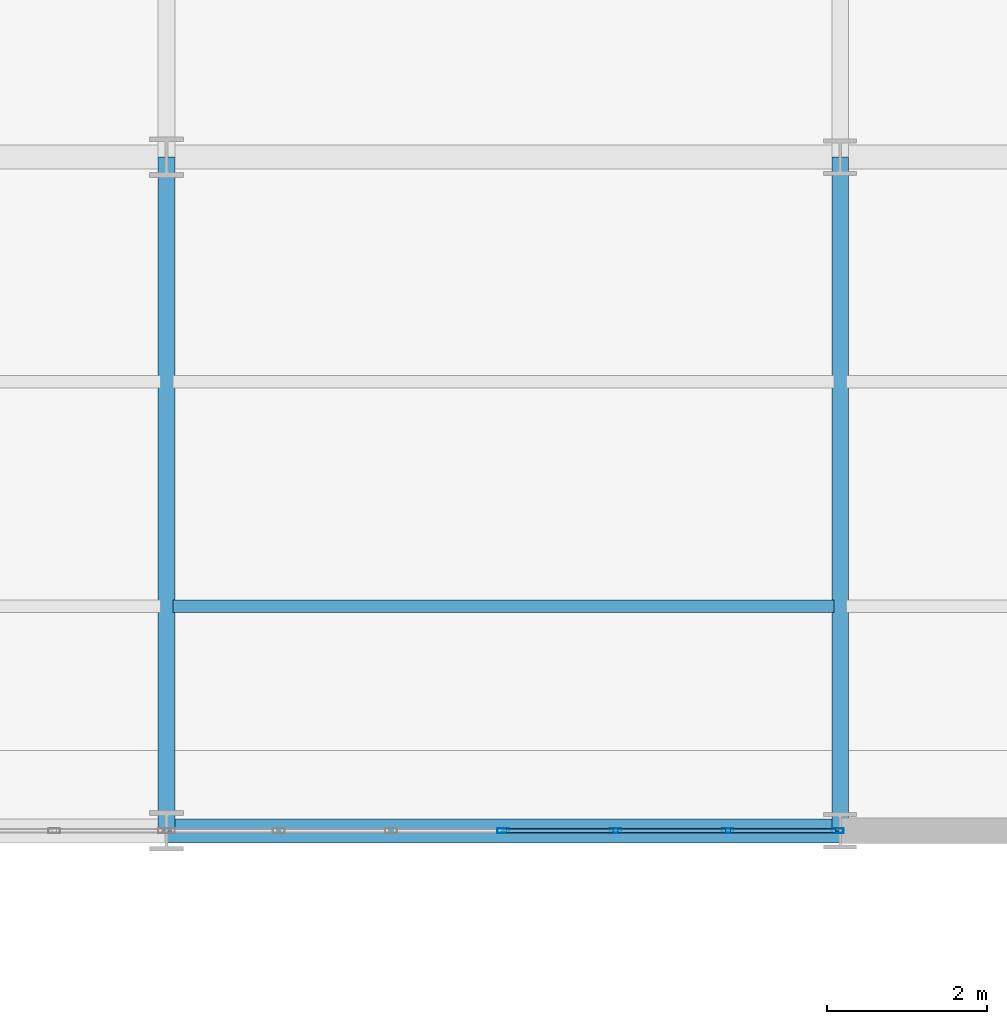
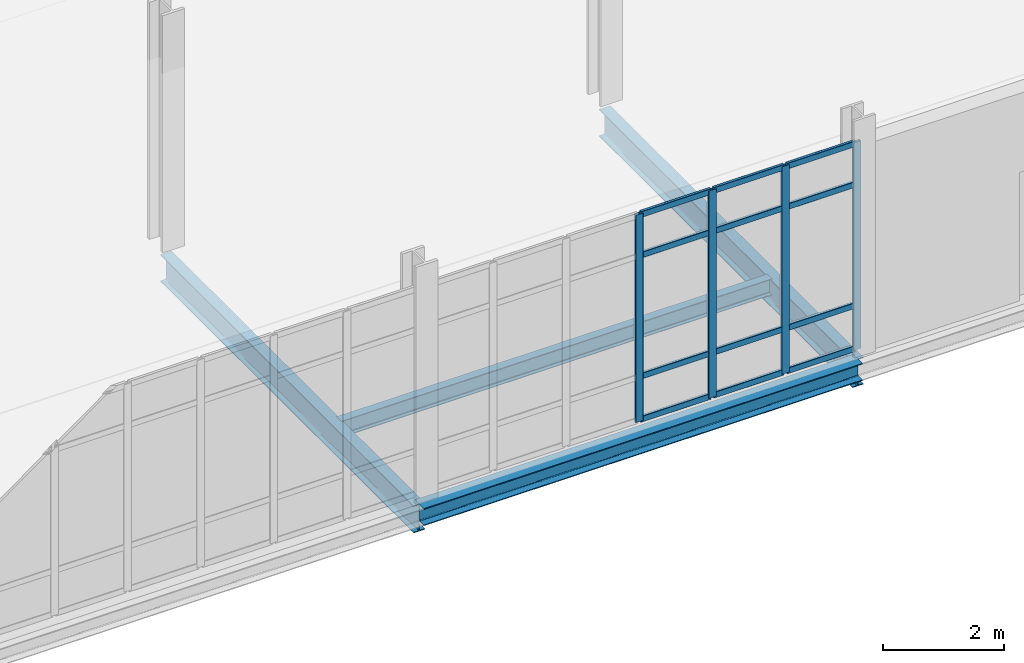
# One storey, part 76 of 145: 16 members, 4 beams, 1 element without a shape of its own.
"""IFC4 building model written with IfcOpenShell, lengths in metres."""

from ifc_helpers import new_model, si_unit, direction, frame, origin, origin_2d, place, context, subcontext, project, spatial, hollow_rectangle, i_section, extrude, material, layer, layer_set, material_profile, profile_set, type_object, element, aggregate, save


model = new_model("IFC4")

# Units and contexts
model_context = context("Model", 3, precision=1e-05, world=origin(), true_north=direction((0.0, 1.0)))
body_context = subcontext(model_context, "Body", "Model", "MODEL_VIEW")
ifc_project = project(units=[si_unit("LENGTHUNIT", "METRE"), si_unit("AREAUNIT", "SQUARE_METRE"), si_unit("VOLUMEUNIT", "CUBIC_METRE"), si_unit("PLANEANGLEUNIT", "RADIAN"), si_unit("MASSUNIT", "GRAM", prefix="KILO")], contexts=[model_context])

# Site, building, storey
site_placement = place(None, origin())
site = spatial("IfcSite", under=ifc_project, at=site_placement, CompositionType="ELEMENT")
building_placement = place(site_placement, origin())
building = spatial("IfcBuilding", under=site, at=building_placement, Name="Qalvenar Corner Mobility Hub", CompositionType="ELEMENT")
storey_placement = place(building_placement, origin())
storey = spatial("IfcBuildingStorey", under=building, at=storey_placement, Name="L00", CompositionType="ELEMENT", Elevation=0.0)

# Beams
ifc_material_1 = material(Name="Steel S355", Category="steel")
ifc_material_profile_1 = material_profile(ifc_material_1, i_section(OverallWidth=0.2099609375, OverallDepth=0.550048828125, WebThickness=0.010986328125, FlangeThickness=0.01708984375, FilletRadius=0.02392578125, at=origin_2d()), Name="IPE550")
ifc_profile_set_1 = profile_set([ifc_material_profile_1], Name="Steel S355")
beam_type_1 = type_object("IfcBeamType", Name="BM-IPE550", PredefinedType="BEAM", material=ifc_profile_set_1)
for number, where, z_axis, x_axis, name in (
    (1, (84.0, 67.199951171875, -0.4951171875), (0.0, 1.0, 0.0), (-1.0, 0.0, 0.0), "Primary Steel Girder GY-0605"),
    (2, (92.39990234375, 67.199951171875, -0.4951171875), (0.0, 1.0, 0.0), (-1.0, 0.0, 0.0), "Primary Steel Girder GY-0611"),
):
    element("IfcBeam", number, at=place(storey_placement, frame(where, z_axis=z_axis, x_axis=x_axis)), inside=storey, type_object=beam_type_1, Name=name, PredefinedType="BEAM", context=body_context, shape_type="SweptSolid", body=[
        extrude(i_section(OverallWidth=0.2099609375, OverallDepth=0.550048828125, WebThickness=0.010986328125, FlangeThickness=0.01708984375, FilletRadius=0.02392578125, at=origin_2d()), origin(), (0.0, 0.0, 1.0), 8.400146484375),
    ])
ifc_material_profile_2 = material_profile(ifc_material_1, i_section(OverallWidth=0.159912109375, OverallDepth=0.330078125, WebThickness=0.007568359375, FlangeThickness=0.011474609375, FilletRadius=0.01806640625, at=origin_2d()), Name="IPE330")
ifc_profile_set_2 = profile_set([ifc_material_profile_2], Name="Steel S355")
beam_type_2 = type_object("IfcBeamType", Name="BM-JST330", PredefinedType="JOIST", material=ifc_profile_set_2)
beam_1_placement = place(storey_placement, frame((84.077880859375, 70.0, -0.385009765625), z_axis=(1.0, 0.0, 0.0), x_axis=(0.0, 1.0, 0.0)))
element("IfcBeam", 3, at=beam_1_placement, inside=storey, type_object=beam_type_2, Name="Composite Floor Joist J-0681", PredefinedType="JOIST", context=body_context, shape_type="SweptSolid", body=[
    extrude(i_section(OverallWidth=0.159912109375, OverallDepth=0.330078125, WebThickness=0.007568359375, FlangeThickness=0.011474609375, FilletRadius=0.01806640625, at=origin_2d()), origin(), (0.0, 0.0, 1.0), 8.244140625),
])
ifc_material_profile_3 = material_profile(ifc_material_1, i_section(OverallWidth=0.300048828125, OverallDepth=0.35009765625, WebThickness=0.010009765625, FlangeThickness=0.017578125, FilletRadius=0.027099609375, at=origin_2d()), Name="HEA360")
ifc_profile_set_3 = profile_set([ifc_material_profile_3], Name="Steel S355")
beam_type_3 = type_object("IfcBeamType", Name="BM-SPN360", PredefinedType="SPANDREL", material=ifc_profile_set_3)
beam_2_placement = place(storey_placement, frame((84.0, 67.199951171875, -0.39501953125), z_axis=(1.0, 0.0, 0.0), x_axis=(0.0, 1.0, 0.0)))
element("IfcBeam", 4, at=beam_2_placement, inside=storey, type_object=beam_type_3, Name="Primary Steel Girder GX-0525", PredefinedType="SPANDREL", context=body_context, shape_type="SweptSolid", body=[
    extrude(i_section(OverallWidth=0.300048828125, OverallDepth=0.35009765625, WebThickness=0.010009765625, FlangeThickness=0.017578125, FilletRadius=0.027099609375, at=origin_2d()), origin(), (0.0, 0.0, 1.0), 8.39990234375),
])

# Curtain wall, members
ifc_material_2 = material(Name="Anodised Aluminium and Low-E Glazing", Category="aluminium")
ifc_layer = layer(ifc_material_2, 0.14990234375)
ifc_layer_set = layer_set([ifc_layer], Name="Anodised Aluminium and Low-E Glazing")
curtain_wall_type = type_object("IfcCurtainWallType", Name="CW-MOB-84X46", PredefinedType="NOTDEFINED", material=ifc_layer_set)
curtain_wall_placement = place(storey_placement, origin())
curtain_wall = element("IfcCurtainWall", 5, at=curtain_wall_placement, inside=storey, type_object=curtain_wall_type, Name="Glazed Curtain Wall CW-V4-L00-S3", PredefinedType="NOTDEFINED")
ifc_material_3 = material(Name="Anodised Aluminium 6063-T6", Category="aluminium")
ifc_material_profile_4 = material_profile(ifc_material_3, hollow_rectangle(XDim=0.06005859375, YDim=0.14990234375, WallThickness=0.00390625, InnerFilletRadius=0.00390625, OuterFilletRadius=0.008056640625, at=origin_2d()), Name="RHS150x60x4")
ifc_profile_set_4 = profile_set([ifc_material_profile_4], Name="Anodised Aluminium 6063-T6")
member_type_1 = type_object("IfcMemberType", Name="CW-MUL150", PredefinedType="MULLION", material=ifc_profile_set_4)
member_1_placement = place(storey_placement, frame((88.199951171875, 67.199951171875, 0.0), z_axis=(0.0, 0.0, 1.0), x_axis=(0.0, 1.0, 0.0)))
member_1 = element("IfcMember", 6, at=member_1_placement, type_object=member_type_1, Name="CW-03 mullion 4", PredefinedType="MULLION", context=body_context, shape_type="SweptSolid", body=[
    extrude(hollow_rectangle(XDim=0.06005859375, YDim=0.14990234375, WallThickness=0.00390625, InnerFilletRadius=0.00390625, OuterFilletRadius=0.008056640625, at=origin_2d()), origin(), (0.0, 0.0, 1.0), 4.199951171875),
])
member_2_placement = place(storey_placement, frame((89.60009765625, 67.199951171875, 0.0), z_axis=(0.0, 0.0, 1.0), x_axis=(0.0, 1.0, 0.0)))
member_2 = element("IfcMember", 7, at=member_2_placement, type_object=member_type_1, Name="CW-03 mullion 5", PredefinedType="MULLION", context=body_context, shape_type="SweptSolid", body=[
    extrude(hollow_rectangle(XDim=0.06005859375, YDim=0.14990234375, WallThickness=0.00390625, InnerFilletRadius=0.00390625, OuterFilletRadius=0.008056640625, at=origin_2d()), origin(), (0.0, 0.0, 1.0), 4.199951171875),
])
member_3_placement = place(storey_placement, frame((91.0, 67.199951171875, 0.0), z_axis=(0.0, 0.0, 1.0), x_axis=(0.0, 1.0, 0.0)))
member_3 = element("IfcMember", 8, at=member_3_placement, type_object=member_type_1, Name="CW-03 mullion 6", PredefinedType="MULLION", context=body_context, shape_type="SweptSolid", body=[
    extrude(hollow_rectangle(XDim=0.06005859375, YDim=0.14990234375, WallThickness=0.00390625, InnerFilletRadius=0.00390625, OuterFilletRadius=0.008056640625, at=origin_2d()), origin(), (0.0, 0.0, 1.0), 4.199951171875),
])
member_4_placement = place(storey_placement, frame((92.3701171875, 67.199951171875, 0.0), z_axis=(0.0, 0.0, 1.0), x_axis=(0.0, 1.0, 0.0)))
member_4 = element("IfcMember", 9, at=member_4_placement, type_object=member_type_1, Name="CW-03 mullion 7", PredefinedType="MULLION", context=body_context, shape_type="SweptSolid", body=[
    extrude(hollow_rectangle(XDim=0.06005859375, YDim=0.14990234375, WallThickness=0.00390625, InnerFilletRadius=0.00390625, OuterFilletRadius=0.008056640625, at=origin_2d()), origin(), (0.0, 0.0, 1.0), 4.199951171875),
])
ifc_material_profile_5 = material_profile(ifc_material_3, hollow_rectangle(XDim=0.054931640625, YDim=0.1201171875, WallThickness=0.00341796875, InnerFilletRadius=0.00341796875, OuterFilletRadius=0.007080078125, at=origin_2d()), Name="RHS120x55x3.5")
ifc_profile_set_5 = profile_set([ifc_material_profile_5], Name="Anodised Aluminium 6063-T6")
member_type_2 = type_object("IfcMemberType", Name="CW-TRN120", PredefinedType="USERDEFINED", material=ifc_profile_set_5)
member_5_placement = place(storey_placement, frame((88.22998046875, 67.199951171875, 0.027587890625), z_axis=(1.0, 0.0, 0.0), x_axis=(0.0, 1.0, 0.0)))
member_5 = element("IfcMember", 10, at=member_5_placement, type_object=member_type_2, Name="CW-03 transom 4.1", ObjectType="TRANSOM", PredefinedType="USERDEFINED", context=body_context, shape_type="SweptSolid", body=[
    extrude(hollow_rectangle(XDim=0.054931640625, YDim=0.1201171875, WallThickness=0.00341796875, InnerFilletRadius=0.00341796875, OuterFilletRadius=0.007080078125, at=origin_2d()), origin(), (0.0, 0.0, 1.0), 1.340087890625),
])
member_6_placement = place(storey_placement, frame((88.22998046875, 67.199951171875, 0.89990234375), z_axis=(1.0, 0.0, 0.0), x_axis=(0.0, 1.0, 0.0)))
member_6 = element("IfcMember", 11, at=member_6_placement, type_object=member_type_2, Name="CW-03 transom 4.2", ObjectType="TRANSOM", PredefinedType="USERDEFINED", context=body_context, shape_type="SweptSolid", body=[
    extrude(hollow_rectangle(XDim=0.054931640625, YDim=0.1201171875, WallThickness=0.00341796875, InnerFilletRadius=0.00341796875, OuterFilletRadius=0.007080078125, at=origin_2d()), origin(), (0.0, 0.0, 1.0), 1.340087890625),
])
member_7_placement = place(storey_placement, frame((88.22998046875, 67.199951171875, 3.35009765625), z_axis=(1.0, 0.0, 0.0), x_axis=(0.0, 1.0, 0.0)))
member_7 = element("IfcMember", 12, at=member_7_placement, type_object=member_type_2, Name="CW-03 transom 4.3", ObjectType="TRANSOM", PredefinedType="USERDEFINED", context=body_context, shape_type="SweptSolid", body=[
    extrude(hollow_rectangle(XDim=0.054931640625, YDim=0.1201171875, WallThickness=0.00341796875, InnerFilletRadius=0.00341796875, OuterFilletRadius=0.007080078125, at=origin_2d()), origin(), (0.0, 0.0, 1.0), 1.340087890625),
])
member_8_placement = place(storey_placement, frame((88.22998046875, 67.199951171875, 4.172607421875), z_axis=(1.0, 0.0, 0.0), x_axis=(0.0, 1.0, 0.0)))
member_8 = element("IfcMember", 13, at=member_8_placement, type_object=member_type_2, Name="CW-03 transom 4.4", ObjectType="TRANSOM", PredefinedType="USERDEFINED", context=body_context, shape_type="SweptSolid", body=[
    extrude(hollow_rectangle(XDim=0.054931640625, YDim=0.1201171875, WallThickness=0.00341796875, InnerFilletRadius=0.00341796875, OuterFilletRadius=0.007080078125, at=origin_2d()), origin(), (0.0, 0.0, 1.0), 1.340087890625),
])
member_9_placement = place(storey_placement, frame((89.6298828125, 67.199951171875, 0.027587890625), z_axis=(1.0, 0.0, 0.0), x_axis=(0.0, 1.0, 0.0)))
member_9 = element("IfcMember", 14, at=member_9_placement, type_object=member_type_2, Name="CW-03 transom 5.1", ObjectType="TRANSOM", PredefinedType="USERDEFINED", context=body_context, shape_type="SweptSolid", body=[
    extrude(hollow_rectangle(XDim=0.054931640625, YDim=0.1201171875, WallThickness=0.00341796875, InnerFilletRadius=0.00341796875, OuterFilletRadius=0.007080078125, at=origin_2d()), origin(), (0.0, 0.0, 1.0), 1.340087890625),
])
member_10_placement = place(storey_placement, frame((89.6298828125, 67.199951171875, 0.89990234375), z_axis=(1.0, 0.0, 0.0), x_axis=(0.0, 1.0, 0.0)))
member_10 = element("IfcMember", 15, at=member_10_placement, type_object=member_type_2, Name="CW-03 transom 5.2", ObjectType="TRANSOM", PredefinedType="USERDEFINED", context=body_context, shape_type="SweptSolid", body=[
    extrude(hollow_rectangle(XDim=0.054931640625, YDim=0.1201171875, WallThickness=0.00341796875, InnerFilletRadius=0.00341796875, OuterFilletRadius=0.007080078125, at=origin_2d()), origin(), (0.0, 0.0, 1.0), 1.340087890625),
])
member_11_placement = place(storey_placement, frame((89.6298828125, 67.199951171875, 3.35009765625), z_axis=(1.0, 0.0, 0.0), x_axis=(0.0, 1.0, 0.0)))
member_11 = element("IfcMember", 16, at=member_11_placement, type_object=member_type_2, Name="CW-03 transom 5.3", ObjectType="TRANSOM", PredefinedType="USERDEFINED", context=body_context, shape_type="SweptSolid", body=[
    extrude(hollow_rectangle(XDim=0.054931640625, YDim=0.1201171875, WallThickness=0.00341796875, InnerFilletRadius=0.00341796875, OuterFilletRadius=0.007080078125, at=origin_2d()), origin(), (0.0, 0.0, 1.0), 1.340087890625),
])
member_12_placement = place(storey_placement, frame((89.6298828125, 67.199951171875, 4.172607421875), z_axis=(1.0, 0.0, 0.0), x_axis=(0.0, 1.0, 0.0)))
member_12 = element("IfcMember", 17, at=member_12_placement, type_object=member_type_2, Name="CW-03 transom 5.4", ObjectType="TRANSOM", PredefinedType="USERDEFINED", context=body_context, shape_type="SweptSolid", body=[
    extrude(hollow_rectangle(XDim=0.054931640625, YDim=0.1201171875, WallThickness=0.00341796875, InnerFilletRadius=0.00341796875, OuterFilletRadius=0.007080078125, at=origin_2d()), origin(), (0.0, 0.0, 1.0), 1.340087890625),
])
member_13_placement = place(storey_placement, frame((91.030029296875, 67.199951171875, 0.027587890625), z_axis=(1.0, 0.0, 0.0), x_axis=(0.0, 1.0, 0.0)))
member_13 = element("IfcMember", 18, at=member_13_placement, type_object=member_type_2, Name="CW-03 transom 6.1", ObjectType="TRANSOM", PredefinedType="USERDEFINED", context=body_context, shape_type="SweptSolid", body=[
    extrude(hollow_rectangle(XDim=0.054931640625, YDim=0.1201171875, WallThickness=0.00341796875, InnerFilletRadius=0.00341796875, OuterFilletRadius=0.007080078125, at=origin_2d()), origin(), (0.0, 0.0, 1.0), 1.31005859375),
])
member_14_placement = place(storey_placement, frame((91.030029296875, 67.199951171875, 0.89990234375), z_axis=(1.0, 0.0, 0.0), x_axis=(0.0, 1.0, 0.0)))
member_14 = element("IfcMember", 19, at=member_14_placement, type_object=member_type_2, Name="CW-03 transom 6.2", ObjectType="TRANSOM", PredefinedType="USERDEFINED", context=body_context, shape_type="SweptSolid", body=[
    extrude(hollow_rectangle(XDim=0.054931640625, YDim=0.1201171875, WallThickness=0.00341796875, InnerFilletRadius=0.00341796875, OuterFilletRadius=0.007080078125, at=origin_2d()), origin(), (0.0, 0.0, 1.0), 1.31005859375),
])
member_15_placement = place(storey_placement, frame((91.030029296875, 67.199951171875, 3.35009765625), z_axis=(1.0, 0.0, 0.0), x_axis=(0.0, 1.0, 0.0)))
member_15 = element("IfcMember", 20, at=member_15_placement, type_object=member_type_2, Name="CW-03 transom 6.3", ObjectType="TRANSOM", PredefinedType="USERDEFINED", context=body_context, shape_type="SweptSolid", body=[
    extrude(hollow_rectangle(XDim=0.054931640625, YDim=0.1201171875, WallThickness=0.00341796875, InnerFilletRadius=0.00341796875, OuterFilletRadius=0.007080078125, at=origin_2d()), origin(), (0.0, 0.0, 1.0), 1.31005859375),
])
member_16_placement = place(storey_placement, frame((91.030029296875, 67.199951171875, 4.172607421875), z_axis=(1.0, 0.0, 0.0), x_axis=(0.0, 1.0, 0.0)))
member_16 = element("IfcMember", 21, at=member_16_placement, type_object=member_type_2, Name="CW-03 transom 6.4", ObjectType="TRANSOM", PredefinedType="USERDEFINED", context=body_context, shape_type="SweptSolid", body=[
    extrude(hollow_rectangle(XDim=0.054931640625, YDim=0.1201171875, WallThickness=0.00341796875, InnerFilletRadius=0.00341796875, OuterFilletRadius=0.007080078125, at=origin_2d()), origin(), (0.0, 0.0, 1.0), 1.31005859375),
])
aggregate(curtain_wall, [member_1, member_2, member_3, member_4, member_5, member_6, member_7, member_8, member_9, member_10, member_11, member_12, member_13, member_14, member_15, member_16])

save(model, "model.ifc")
